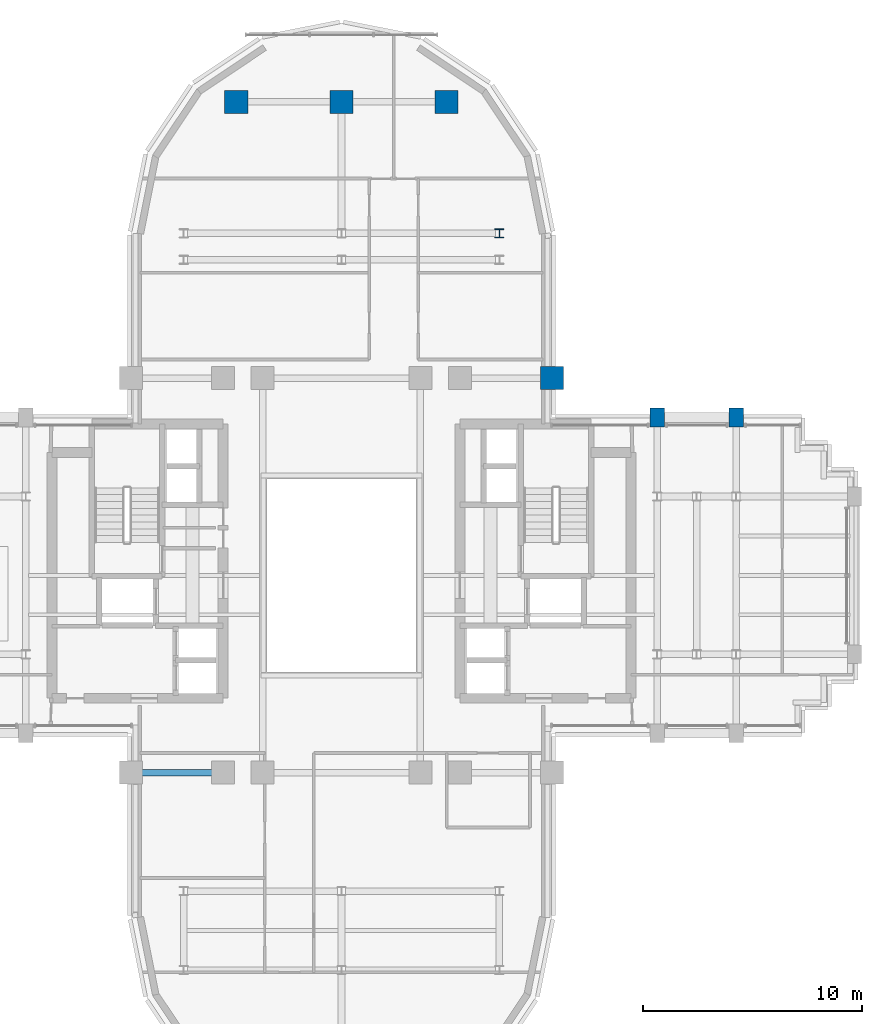
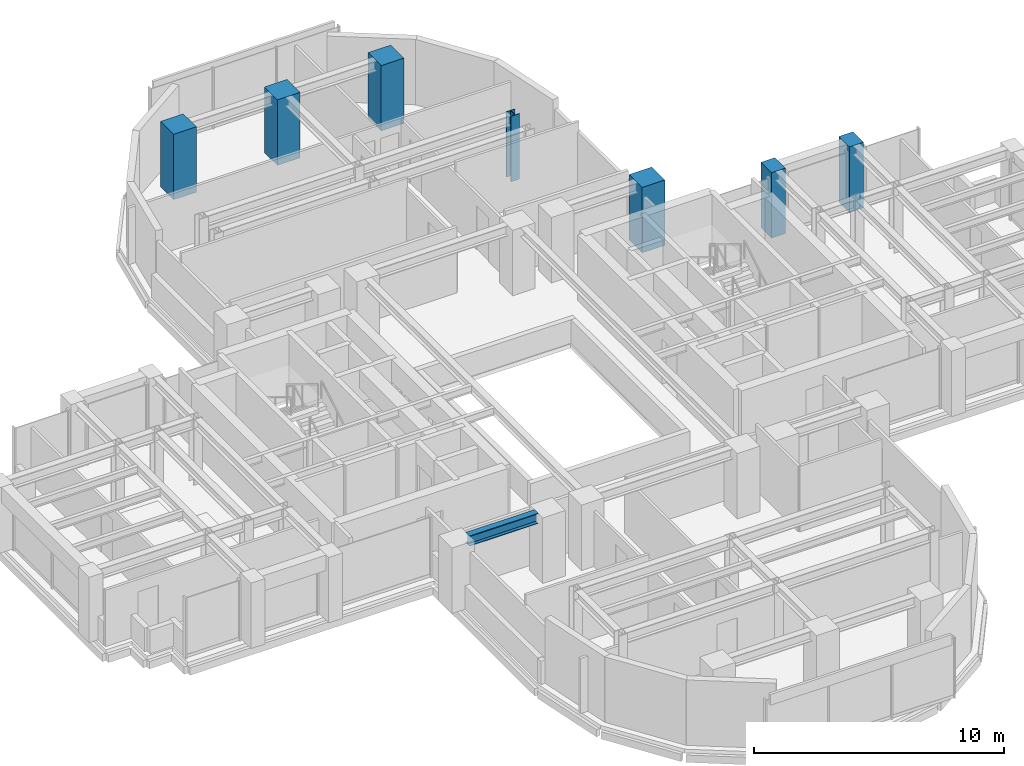
# One storey, part 2 of 14: 7 columns, 1 beam.
"""IFC4 building model written with IfcOpenShell, lengths in metres."""

from ifc_helpers import new_model, si_unit, direction, frame, origin, origin_2d, place, context, subcontext, project, spatial, rectangle, i_section, extrude, source, transform, mapped, material, material_profile, profile_set, type_object, element, save


model = new_model("IFC4")

# Units and contexts
model_context = context("Model", 3, precision=1e-05, world=origin(), true_north=direction((0.0, 1.0)))
body_context = subcontext(model_context, "Body", "Model", "MODEL_VIEW")
ifc_project = project(units=[si_unit("LENGTHUNIT", "METRE"), si_unit("AREAUNIT", "SQUARE_METRE"), si_unit("VOLUMEUNIT", "CUBIC_METRE"), si_unit("PLANEANGLEUNIT", "RADIAN"), si_unit("MASSUNIT", "GRAM", prefix="KILO")], contexts=[model_context])

# Site, building, storey
site_placement = place(None, origin())
site = spatial("IfcSite", under=ifc_project, at=site_placement, CompositionType="ELEMENT")
building_placement = place(site_placement, origin())
building = spatial("IfcBuilding", under=site, at=building_placement, Name="Keilestroom Media Tower", CompositionType="ELEMENT")
storey_placement = place(building_placement, frame((0.0, 0.0, 110.800048828125)))
storey = spatial("IfcBuildingStorey", under=building, at=storey_placement, Name="L29", CompositionType="ELEMENT", Elevation=110.800048828125)

# Columns
ifc_material_1 = material(Name="Precast concrete C40/50", Category="concrete")
ifc_material_profile_1 = material_profile(ifc_material_1, rectangle(XDim=0.64990234375, YDim=0.85009765625, at=origin_2d()), Name="PC 850x650")
ifc_profile_set_1 = profile_set([ifc_material_profile_1], Name="Precast concrete C40/50")
column_type_1 = type_object("IfcColumnType", Name="Structural-Column-PC-850x650", PredefinedType="COLUMN", material=ifc_profile_set_1)
shared_shape_1 = source(origin(), body_context, "Body", "SweptSolid", [
    extrude(rectangle(XDim=0.64990234375, YDim=0.85009765625, at=origin_2d()), origin(), (0.0, 0.0, 1.0), 3.199951171875),
])
for number, where, z_axis, x_axis, name in (
    (1, (14.39990234375, 7.199951171875, 0.0), (0.0, 0.0, 1.0), (1.0, 0.0, 0.0), "L29 Column PC-2 (+14.4,+7.2)"),
    (2, (18.0, 7.199951171875, 0.0), (0.0, 0.0, 1.0), (1.0, 0.0, 0.0), "L29 Column PC-2 (+18.0,+7.2)"),
):
    element("IfcColumn", number, at=place(storey_placement, frame(where, z_axis=z_axis, x_axis=x_axis)), inside=storey, type_object=column_type_1, Name=name, PredefinedType="COLUMN", context=body_context, shape_type="MappedRepresentation", body=[
        mapped(shared_shape_1, transform((0.0, 0.0, 0.0), x_axis=(1.0, 0.0, 0.0), y_axis=(0.0, 1.0, 0.0), z_axis=(0.0, 0.0, 1.0), scale=1.0)),
    ])
ifc_material_2 = material(Name="Steel S355", Category="steel")
ifc_material_profile_2 = material_profile(ifc_material_2, i_section(OverallWidth=0.40087890625, OverallDepth=0.39892578125, WebThickness=0.02001953125, FlangeThickness=0.031982421875, at=origin_2d()), Name="HD 400x314")
ifc_profile_set_2 = profile_set([ifc_material_profile_2], Name="Steel S355")
column_type_2 = type_object("IfcColumnType", Name="Structural-Column-HD-400x314", PredefinedType="COLUMN", material=ifc_profile_set_2)
shared_shape_2 = source(origin(), body_context, "Body", "SweptSolid", [
    extrude(i_section(OverallWidth=0.40087890625, OverallDepth=0.39892578125, WebThickness=0.02001953125, FlangeThickness=0.031982421875, at=origin_2d()), origin(), (0.0, 0.0, 1.0), 3.199951171875),
])
column_placement = place(storey_placement, frame((7.199951171875, 15.60009765625, 0.0), z_axis=(0.0, 0.0, 1.0), x_axis=(1.0, 0.0, 0.0)))
element("IfcColumn", 3, at=column_placement, inside=storey, type_object=column_type_2, Name="L29 Column SC-3 (+7.2,+15.6)", PredefinedType="COLUMN", context=body_context, shape_type="MappedRepresentation", body=[
    mapped(shared_shape_2, transform((0.0, 0.0, 0.0), x_axis=(1.0, 0.0, 0.0), y_axis=(0.0, 1.0, 0.0), z_axis=(0.0, 0.0, 1.0), scale=1.0)),
])
ifc_material_3 = material(Name="Concrete C55/67", Category="concrete")
ifc_material_profile_3 = material_profile(ifc_material_3, rectangle(XDim=1.050048828125, YDim=1.050048828125, at=origin_2d()), Name="RC 1050x1050")
ifc_profile_set_3 = profile_set([ifc_material_profile_3], Name="Concrete C55/67")
column_type_3 = type_object("IfcColumnType", Name="Structural-Column-RC-1050x1050", PredefinedType="COLUMN", material=ifc_profile_set_3)
shared_shape_3 = source(origin(), body_context, "Body", "SweptSolid", [
    extrude(rectangle(XDim=1.050048828125, YDim=1.050048828125, at=origin_2d()), origin(), (0.0, 0.0, 1.0), 3.199951171875),
])
for number, where, z_axis, x_axis, name in (
    (4, (-4.800048828125, 21.60009765625, 0.0), (0.0, 0.0, 1.0), (1.0, 0.0, 0.0), "L29 Column MC-3 (-4.8,+21.6)"),
    (5, (0.0, 21.60009765625, 0.0), (0.0, 0.0, 1.0), (1.0, 0.0, 0.0), "L29 Column MC-3 (+0.0,+21.6)"),
    (6, (4.800048828125, 21.60009765625, 0.0), (0.0, 0.0, 1.0), (1.0, 0.0, 0.0), "L29 Column MC-3 (+4.8,+21.6)"),
    (7, (9.60009765625, 9.0, 0.0), (0.0, 0.0, 1.0), (1.0, 0.0, 0.0), "L29 Column MC-3 (+9.6,+9.0)"),
):
    element("IfcColumn", number, at=place(storey_placement, frame(where, z_axis=z_axis, x_axis=x_axis)), inside=storey, type_object=column_type_3, Name=name, PredefinedType="COLUMN", context=body_context, shape_type="MappedRepresentation", body=[
        mapped(shared_shape_3, transform((0.0, 0.0, 0.0), x_axis=(1.0, 0.0, 0.0), y_axis=(0.0, 1.0, 0.0), z_axis=(0.0, 0.0, 1.0), scale=1.0)),
    ])

# Beam
ifc_material_profile_4 = material_profile(ifc_material_2, i_section(OverallWidth=0.300048828125, OverallDepth=0.5, WebThickness=0.012451171875, FlangeThickness=0.028076171875, at=origin_2d()), Name="HEB 500")
ifc_profile_set_4 = profile_set([ifc_material_profile_4], Name="Steel S355")
beam_type = type_object("IfcBeamType", Name="Primary-Structural-Girder-HEB-500", PredefinedType="BEAM", material=ifc_profile_set_4)
shared_shape_4 = source(origin(), body_context, "Body", "SweptSolid", [
    extrude(i_section(OverallWidth=0.300048828125, OverallDepth=0.5, WebThickness=0.012451171875, FlangeThickness=0.028076171875, at=origin_2d()), origin(), (0.0, 0.0, 1.0), 3.18994140625),
])
beam_placement = place(storey_placement, frame((-9.094970703125, -9.0, 2.949951171875), z_axis=(1.0, 0.0, 0.0), x_axis=(0.0, 1.0, 0.0)))
element("IfcBeam", 8, at=beam_placement, inside=storey, type_object=beam_type, Name="L29 Beam BG-6 BM-L29-EW-007", PredefinedType="BEAM", context=body_context, shape_type="MappedRepresentation", body=[
    mapped(shared_shape_4, transform((0.0, 0.0, 0.0), x_axis=(1.0, 0.0, 0.0), y_axis=(0.0, 1.0, 0.0), z_axis=(0.0, 0.0, 1.0), scale=1.0)),
])

save(model, "model.ifc")
